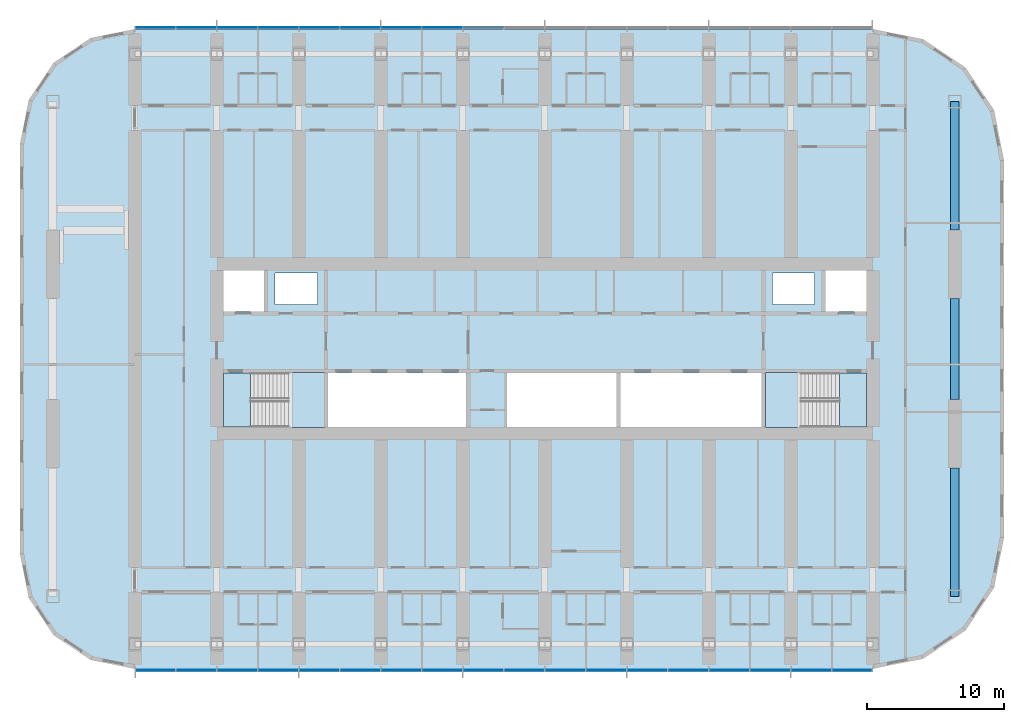
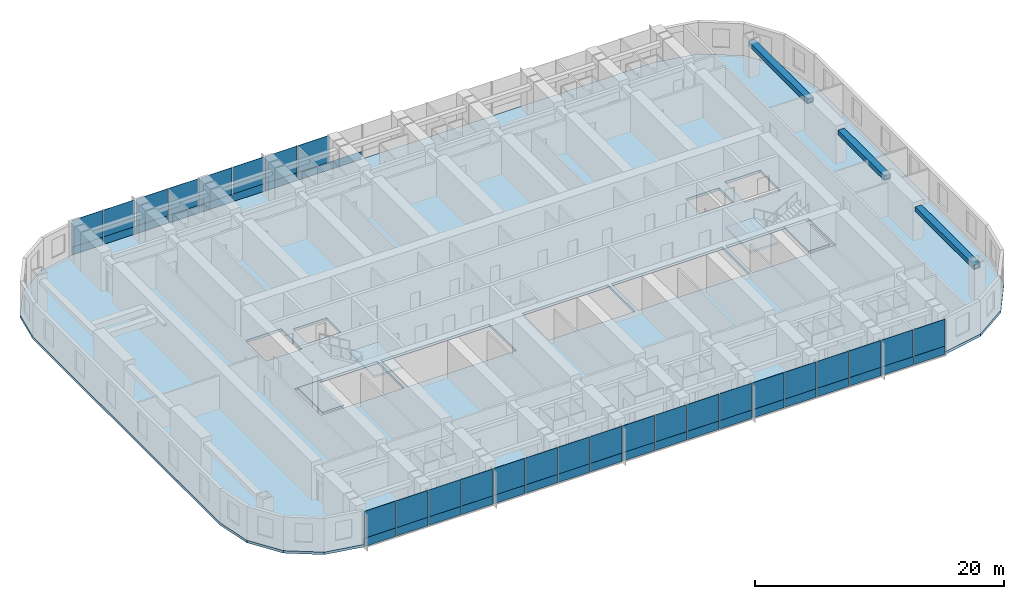
# One storey, part 6 of 21: 53 plates, 5 slabs, 3 beams, 4 elements without a shape of their own.
"""IFC4 building model written with IfcOpenShell, lengths in metres."""

from ifc_helpers import new_model, si_unit, direction, frame, origin, origin_2d, place, context, subcontext, project, spatial, polyline, rectangle, hollow_rectangle, outline, extrude, material, layer, layer_set, material_profile, profile_set, type_object, element, aggregate, save


model = new_model("IFC4")

# Units and contexts
model_context = context("Model", 3, precision=1e-05, world=origin(), true_north=direction((0.0, 1.0)))
body_context = subcontext(model_context, "Body", "Model", "MODEL_VIEW")
ifc_project = project(units=[si_unit("LENGTHUNIT", "METRE"), si_unit("AREAUNIT", "SQUARE_METRE"), si_unit("VOLUMEUNIT", "CUBIC_METRE"), si_unit("PLANEANGLEUNIT", "RADIAN"), si_unit("MASSUNIT", "GRAM", prefix="KILO")], contexts=[model_context])

# Site, building, storey
site_placement = place(None, origin())
site = spatial("IfcSite", under=ifc_project, at=site_placement, CompositionType="ELEMENT")
building_placement = place(site_placement, origin())
building = spatial("IfcBuilding", under=site, at=building_placement, Name="Orbita Commons", CompositionType="ELEMENT")
storey_placement = place(building_placement, frame((0.0, 0.0, 95.64990234375)))
storey = spatial("IfcBuildingStorey", under=building, at=storey_placement, Name="L23", CompositionType="ELEMENT", Elevation=95.64990234375)

# Beams
ifc_material_1 = material(Name="Steel ASTM A572 Gr 50 welded plate", Category="steel")
ifc_material_profile = material_profile(ifc_material_1, hollow_rectangle(XDim=0.60009765625, YDim=0.449951171875, WallThickness=0.06005859375, at=origin_2d()), Name="BOX 450x600x60")
ifc_profile_set = profile_set([ifc_material_profile], Name="Steel ASTM A572 Gr 50 welded plate")
beam_type = type_object("IfcBeamType", Name="Steel end frame link BOX 450x600x60", PredefinedType="BEAM", material=ifc_profile_set)
beam_1_placement = place(storey_placement, frame((72.0, 13.89990234375, 3.0751953125), z_axis=(0.0, 1.0, 0.0), x_axis=(-1.0, 0.0, 0.0)))
element("IfcBeam", 1, at=beam_1_placement, inside=storey, type_object=beam_type, Name="End frame beam 13 B-C L23", PredefinedType="BEAM", context=body_context, shape_type="SweptSolid", body=[
    extrude(hollow_rectangle(XDim=0.60009765625, YDim=0.449951171875, WallThickness=0.06005859375, at=origin_2d()), origin(), (0.0, 0.0, 1.0), 9.400146484375),
])
beam_2_placement = place(storey_placement, frame((72.0, 28.300048828125, 3.0751953125), z_axis=(0.0, 1.0, 0.0), x_axis=(-1.0, 0.0, 0.0)))
element("IfcBeam", 2, at=beam_2_placement, inside=storey, type_object=beam_type, Name="End frame beam 13 C-D L23", PredefinedType="BEAM", context=body_context, shape_type="SweptSolid", body=[
    extrude(hollow_rectangle(XDim=0.60009765625, YDim=0.449951171875, WallThickness=0.06005859375, at=origin_2d()), origin(), (0.0, 0.0, 1.0), 7.39990234375),
])
beam_3_placement = place(storey_placement, frame((72.0, 40.699951171875, 3.0751953125), z_axis=(0.0, 1.0, 0.0), x_axis=(-1.0, 0.0, 0.0)))
element("IfcBeam", 3, at=beam_3_placement, inside=storey, type_object=beam_type, Name="End frame beam 13 D-E L23", PredefinedType="BEAM", context=body_context, shape_type="SweptSolid", body=[
    extrude(hollow_rectangle(XDim=0.60009765625, YDim=0.449951171875, WallThickness=0.06005859375, at=origin_2d()), origin(), (0.0, 0.0, 1.0), 9.400146484375),
])

# Slab
ifc_material_2 = material(Name="Concrete C40/50", Category="concrete")
ifc_layer_1 = layer(ifc_material_2, 0.25)
ifc_layer_set_1 = layer_set([ifc_layer_1], Name="Concrete C40/50")
slab_type_1 = type_object("IfcSlabType", Name="Floor slab 250", PredefinedType="FLOOR", material=ifc_layer_set_1)
slab_1_placement = place(storey_placement, frame((0.0, 0.0, -0.25)))
element("IfcSlab", 4, at=slab_1_placement, inside=storey, type_object=slab_type_1, Name="Floor slab L23", PredefinedType="FLOOR", context=body_context, shape_type="SweptSolid", body=[
    extrude(outline(polyline([(66.0, 8.60009765625), (69.673828125, 9.330810546875), (72.788330078125, 11.411865234375), (74.869140625, 14.526123046875), (75.60009765625, 18.199951171875), (75.60009765625, 45.800048828125), (74.869140625, 49.473876953125), (72.788330078125, 52.588134765625), (69.673828125, 54.669189453125), (66.0, 55.39990234375), (12.0, 55.39990234375), (8.785400390625, 54.760498046875), (6.060302734375, 52.939697265625), (4.239501953125, 50.214599609375), (3.60009765625, 47.0), (3.60009765625, 17.0), (4.239501953125, 13.785400390625), (6.060302734375, 11.060302734375), (8.785400390625, 9.239501953125), (12.0, 8.60009765625), (66.0, 8.60009765625)]), holes=[polyline([(18.14990234375, 25.949951171875), (25.85009765625, 25.949951171875), (25.85009765625, 30.25), (18.14990234375, 30.25), (18.14990234375, 25.949951171875)]), polyline([(58.14990234375, 25.949951171875), (65.85009765625, 25.949951171875), (65.85009765625, 30.25), (58.14990234375, 30.25), (58.14990234375, 25.949951171875)]), polyline([(18.14990234375, 34.75), (21.449951171875, 34.75), (21.449951171875, 38.050048828125), (18.14990234375, 38.050048828125), (18.14990234375, 34.75)]), polyline([(62.550048828125, 34.75), (65.85009765625, 34.75), (65.85009765625, 38.050048828125), (62.550048828125, 38.050048828125), (62.550048828125, 34.75)]), polyline([(22.25, 35.25), (25.35009765625, 35.25), (25.35009765625, 37.550048828125), (22.25, 37.550048828125), (22.25, 35.25)]), polyline([(58.64990234375, 35.25), (61.75, 35.25), (61.75, 37.550048828125), (58.64990234375, 37.550048828125), (58.64990234375, 35.25)]), polyline([(26.14990234375, 25.949951171875), (36.25, 25.949951171875), (36.25, 30.25), (26.14990234375, 30.25), (26.14990234375, 25.949951171875)]), polyline([(39.25, 25.949951171875), (47.25, 25.949951171875), (47.25, 30.25), (39.25, 30.25), (39.25, 25.949951171875)]), polyline([(47.550048828125, 25.949951171875), (57.85009765625, 25.949951171875), (57.85009765625, 30.25), (47.550048828125, 30.25), (47.550048828125, 25.949951171875)])]), origin(), (0.0, 0.0, 1.0), 0.25),
])

# Curtain wall, plates
ifc_material_3 = material(Name="Anodised aluminium frame, pale silver", Category="aluminium")
curtain_wall_type = type_object("IfcCurtainWallType", Name="Unitised curtain wall CW-T, vision and spandrel", PredefinedType="NOTDEFINED", material=ifc_material_3)
curtain_wall_1_placement = place(storey_placement, origin())
curtain_wall_1 = element("IfcCurtainWall", 5, at=curtain_wall_1_placement, inside=storey, type_object=curtain_wall_type, Name="Curtain wall south L23", PredefinedType="NOTDEFINED")
ifc_material_4 = material(Name="Anodised aluminium sheet on mineral wool", Category="aluminium")
ifc_layer_2 = layer(ifc_material_4, 0.050048828125)
ifc_layer_set_2 = layer_set([ifc_layer_2], Name="Anodised aluminium sheet on mineral wool")
plate_type_1 = type_object("IfcPlateType", Name="Spandrel panel, pale aluminium over insulation 50", PredefinedType="CURTAIN_PANEL", material=ifc_layer_set_2)
plate_1_placement = place(storey_placement, frame((13.52001953125, 8.489990234375, -0.14990234375), z_axis=(0.0, 0.0, 1.0), x_axis=(1.0, 0.0, 0.0)))
plate_1 = element("IfcPlate", 6, at=plate_1_placement, type_object=plate_type_1, Name="Panel 1.1 CW-L23-S", PredefinedType="CURTAIN_PANEL", context=body_context, shape_type="SweptSolid", body=[
    extrude(rectangle(XDim=2.8798828125, YDim=0.050048828125, at=origin_2d()), origin(), (0.0, 0.0, 1.0), 0.822998046875),
])
plate_2_placement = place(storey_placement, frame((16.5, 8.489990234375, -0.14990234375), z_axis=(0.0, 0.0, 1.0), x_axis=(1.0, 0.0, 0.0)))
plate_2 = element("IfcPlate", 7, at=plate_2_placement, type_object=plate_type_1, Name="Panel 2.1 CW-L23-S", PredefinedType="CURTAIN_PANEL", context=body_context, shape_type="SweptSolid", body=[
    extrude(rectangle(XDim=2.919921875, YDim=0.050048828125, at=origin_2d()), origin(), (0.0, 0.0, 1.0), 0.822998046875),
])
plate_3_placement = place(storey_placement, frame((19.5, 8.489990234375, -0.14990234375), z_axis=(0.0, 0.0, 1.0), x_axis=(1.0, 0.0, 0.0)))
plate_3 = element("IfcPlate", 8, at=plate_3_placement, type_object=plate_type_1, Name="Panel 3.1 CW-L23-S", PredefinedType="CURTAIN_PANEL", context=body_context, shape_type="SweptSolid", body=[
    extrude(rectangle(XDim=2.919921875, YDim=0.050048828125, at=origin_2d()), origin(), (0.0, 0.0, 1.0), 0.822998046875),
])
plate_4_placement = place(storey_placement, frame((22.5, 8.489990234375, -0.14990234375), z_axis=(0.0, 0.0, 1.0), x_axis=(1.0, 0.0, 0.0)))
plate_4 = element("IfcPlate", 9, at=plate_4_placement, type_object=plate_type_1, Name="Panel 4.1 CW-L23-S", PredefinedType="CURTAIN_PANEL", context=body_context, shape_type="SweptSolid", body=[
    extrude(rectangle(XDim=2.919921875, YDim=0.050048828125, at=origin_2d()), origin(), (0.0, 0.0, 1.0), 0.822998046875),
])
plate_5_placement = place(storey_placement, frame((25.5, 8.489990234375, -0.14990234375), z_axis=(0.0, 0.0, 1.0), x_axis=(1.0, 0.0, 0.0)))
plate_5 = element("IfcPlate", 10, at=plate_5_placement, type_object=plate_type_1, Name="Panel 5.1 CW-L23-S", PredefinedType="CURTAIN_PANEL", context=body_context, shape_type="SweptSolid", body=[
    extrude(rectangle(XDim=2.919921875, YDim=0.050048828125, at=origin_2d()), origin(), (0.0, 0.0, 1.0), 0.822998046875),
])
plate_6_placement = place(storey_placement, frame((28.5, 8.489990234375, -0.14990234375), z_axis=(0.0, 0.0, 1.0), x_axis=(1.0, 0.0, 0.0)))
plate_6 = element("IfcPlate", 11, at=plate_6_placement, type_object=plate_type_1, Name="Panel 6.1 CW-L23-S", PredefinedType="CURTAIN_PANEL", context=body_context, shape_type="SweptSolid", body=[
    extrude(rectangle(XDim=2.919921875, YDim=0.050048828125, at=origin_2d()), origin(), (0.0, 0.0, 1.0), 0.822998046875),
])
plate_7_placement = place(storey_placement, frame((31.5, 8.489990234375, -0.14990234375), z_axis=(0.0, 0.0, 1.0), x_axis=(1.0, 0.0, 0.0)))
plate_7 = element("IfcPlate", 12, at=plate_7_placement, type_object=plate_type_1, Name="Panel 7.1 CW-L23-S", PredefinedType="CURTAIN_PANEL", context=body_context, shape_type="SweptSolid", body=[
    extrude(rectangle(XDim=2.919921875, YDim=0.050048828125, at=origin_2d()), origin(), (0.0, 0.0, 1.0), 0.822998046875),
])
plate_8_placement = place(storey_placement, frame((34.5, 8.489990234375, -0.14990234375), z_axis=(0.0, 0.0, 1.0), x_axis=(1.0, 0.0, 0.0)))
plate_8 = element("IfcPlate", 13, at=plate_8_placement, type_object=plate_type_1, Name="Panel 8.1 CW-L23-S", PredefinedType="CURTAIN_PANEL", context=body_context, shape_type="SweptSolid", body=[
    extrude(rectangle(XDim=2.919921875, YDim=0.050048828125, at=origin_2d()), origin(), (0.0, 0.0, 1.0), 0.822998046875),
])
plate_9_placement = place(storey_placement, frame((37.5, 8.489990234375, -0.14990234375), z_axis=(0.0, 0.0, 1.0), x_axis=(1.0, 0.0, 0.0)))
plate_9 = element("IfcPlate", 14, at=plate_9_placement, type_object=plate_type_1, Name="Panel 9.1 CW-L23-S", PredefinedType="CURTAIN_PANEL", context=body_context, shape_type="SweptSolid", body=[
    extrude(rectangle(XDim=2.919921875, YDim=0.050048828125, at=origin_2d()), origin(), (0.0, 0.0, 1.0), 0.822998046875),
])
plate_10_placement = place(storey_placement, frame((40.5, 8.489990234375, -0.14990234375), z_axis=(0.0, 0.0, 1.0), x_axis=(1.0, 0.0, 0.0)))
plate_10 = element("IfcPlate", 15, at=plate_10_placement, type_object=plate_type_1, Name="Panel 10.1 CW-L23-S", PredefinedType="CURTAIN_PANEL", context=body_context, shape_type="SweptSolid", body=[
    extrude(rectangle(XDim=2.919921875, YDim=0.050048828125, at=origin_2d()), origin(), (0.0, 0.0, 1.0), 0.822998046875),
])
plate_11_placement = place(storey_placement, frame((43.5, 8.489990234375, -0.14990234375), z_axis=(0.0, 0.0, 1.0), x_axis=(1.0, 0.0, 0.0)))
plate_11 = element("IfcPlate", 16, at=plate_11_placement, type_object=plate_type_1, Name="Panel 11.1 CW-L23-S", PredefinedType="CURTAIN_PANEL", context=body_context, shape_type="SweptSolid", body=[
    extrude(rectangle(XDim=2.919921875, YDim=0.050048828125, at=origin_2d()), origin(), (0.0, 0.0, 1.0), 0.822998046875),
])
plate_12_placement = place(storey_placement, frame((46.5, 8.489990234375, -0.14990234375), z_axis=(0.0, 0.0, 1.0), x_axis=(1.0, 0.0, 0.0)))
plate_12 = element("IfcPlate", 17, at=plate_12_placement, type_object=plate_type_1, Name="Panel 12.1 CW-L23-S", PredefinedType="CURTAIN_PANEL", context=body_context, shape_type="SweptSolid", body=[
    extrude(rectangle(XDim=2.919921875, YDim=0.050048828125, at=origin_2d()), origin(), (0.0, 0.0, 1.0), 0.822998046875),
])
plate_13_placement = place(storey_placement, frame((49.5, 8.489990234375, -0.14990234375), z_axis=(0.0, 0.0, 1.0), x_axis=(1.0, 0.0, 0.0)))
plate_13 = element("IfcPlate", 18, at=plate_13_placement, type_object=plate_type_1, Name="Panel 13.1 CW-L23-S", PredefinedType="CURTAIN_PANEL", context=body_context, shape_type="SweptSolid", body=[
    extrude(rectangle(XDim=2.919921875, YDim=0.050048828125, at=origin_2d()), origin(), (0.0, 0.0, 1.0), 0.822998046875),
])
plate_14_placement = place(storey_placement, frame((52.5, 8.489990234375, -0.14990234375), z_axis=(0.0, 0.0, 1.0), x_axis=(1.0, 0.0, 0.0)))
plate_14 = element("IfcPlate", 19, at=plate_14_placement, type_object=plate_type_1, Name="Panel 14.1 CW-L23-S", PredefinedType="CURTAIN_PANEL", context=body_context, shape_type="SweptSolid", body=[
    extrude(rectangle(XDim=2.919921875, YDim=0.050048828125, at=origin_2d()), origin(), (0.0, 0.0, 1.0), 0.822998046875),
])
plate_15_placement = place(storey_placement, frame((55.5, 8.489990234375, -0.14990234375), z_axis=(0.0, 0.0, 1.0), x_axis=(1.0, 0.0, 0.0)))
plate_15 = element("IfcPlate", 20, at=plate_15_placement, type_object=plate_type_1, Name="Panel 15.1 CW-L23-S", PredefinedType="CURTAIN_PANEL", context=body_context, shape_type="SweptSolid", body=[
    extrude(rectangle(XDim=2.919921875, YDim=0.050048828125, at=origin_2d()), origin(), (0.0, 0.0, 1.0), 0.822998046875),
])
plate_16_placement = place(storey_placement, frame((58.5, 8.489990234375, -0.14990234375), z_axis=(0.0, 0.0, 1.0), x_axis=(1.0, 0.0, 0.0)))
plate_16 = element("IfcPlate", 21, at=plate_16_placement, type_object=plate_type_1, Name="Panel 16.1 CW-L23-S", PredefinedType="CURTAIN_PANEL", context=body_context, shape_type="SweptSolid", body=[
    extrude(rectangle(XDim=2.919921875, YDim=0.050048828125, at=origin_2d()), origin(), (0.0, 0.0, 1.0), 0.822998046875),
])
plate_17_placement = place(storey_placement, frame((61.5, 8.489990234375, -0.14990234375), z_axis=(0.0, 0.0, 1.0), x_axis=(1.0, 0.0, 0.0)))
plate_17 = element("IfcPlate", 22, at=plate_17_placement, type_object=plate_type_1, Name="Panel 17.1 CW-L23-S", PredefinedType="CURTAIN_PANEL", context=body_context, shape_type="SweptSolid", body=[
    extrude(rectangle(XDim=2.919921875, YDim=0.050048828125, at=origin_2d()), origin(), (0.0, 0.0, 1.0), 0.822998046875),
])
plate_18_placement = place(storey_placement, frame((64.47998046875, 8.489990234375, -0.14990234375), z_axis=(0.0, 0.0, 1.0), x_axis=(1.0, 0.0, 0.0)))
plate_18 = element("IfcPlate", 23, at=plate_18_placement, type_object=plate_type_1, Name="Panel 18.1 CW-L23-S", PredefinedType="CURTAIN_PANEL", context=body_context, shape_type="SweptSolid", body=[
    extrude(rectangle(XDim=2.8798828125, YDim=0.050048828125, at=origin_2d()), origin(), (0.0, 0.0, 1.0), 0.822998046875),
])

curtain_wall_2_placement = place(storey_placement, origin())
curtain_wall_2 = element("IfcCurtainWall", 24, at=curtain_wall_2_placement, inside=storey, type_object=curtain_wall_type, Name="Curtain wall north L23", PredefinedType="NOTDEFINED")
plate_19_placement = place(storey_placement, frame((37.5, 55.510009765625, -0.14990234375), z_axis=(0.0, 0.0, 1.0), x_axis=(-1.0, 0.0, 0.0)))
plate_19 = element("IfcPlate", 25, at=plate_19_placement, type_object=plate_type_1, Name="Panel 10.1 CW-L23-N", PredefinedType="CURTAIN_PANEL", context=body_context, shape_type="SweptSolid", body=[
    extrude(rectangle(XDim=2.919921875, YDim=0.050048828125, at=origin_2d()), origin(), (0.0, 0.0, 1.0), 0.822998046875),
])
plate_20_placement = place(storey_placement, frame((34.5, 55.510009765625, -0.14990234375), z_axis=(0.0, 0.0, 1.0), x_axis=(-1.0, 0.0, 0.0)))
plate_20 = element("IfcPlate", 26, at=plate_20_placement, type_object=plate_type_1, Name="Panel 11.1 CW-L23-N", PredefinedType="CURTAIN_PANEL", context=body_context, shape_type="SweptSolid", body=[
    extrude(rectangle(XDim=2.919921875, YDim=0.050048828125, at=origin_2d()), origin(), (0.0, 0.0, 1.0), 0.822998046875),
])
plate_21_placement = place(storey_placement, frame((31.5, 55.510009765625, -0.14990234375), z_axis=(0.0, 0.0, 1.0), x_axis=(-1.0, 0.0, 0.0)))
plate_21 = element("IfcPlate", 27, at=plate_21_placement, type_object=plate_type_1, Name="Panel 12.1 CW-L23-N", PredefinedType="CURTAIN_PANEL", context=body_context, shape_type="SweptSolid", body=[
    extrude(rectangle(XDim=2.919921875, YDim=0.050048828125, at=origin_2d()), origin(), (0.0, 0.0, 1.0), 0.822998046875),
])
plate_22_placement = place(storey_placement, frame((28.5, 55.510009765625, -0.14990234375), z_axis=(0.0, 0.0, 1.0), x_axis=(-1.0, 0.0, 0.0)))
plate_22 = element("IfcPlate", 28, at=plate_22_placement, type_object=plate_type_1, Name="Panel 13.1 CW-L23-N", PredefinedType="CURTAIN_PANEL", context=body_context, shape_type="SweptSolid", body=[
    extrude(rectangle(XDim=2.919921875, YDim=0.050048828125, at=origin_2d()), origin(), (0.0, 0.0, 1.0), 0.822998046875),
])
plate_23_placement = place(storey_placement, frame((25.5, 55.510009765625, -0.14990234375), z_axis=(0.0, 0.0, 1.0), x_axis=(-1.0, 0.0, 0.0)))
plate_23 = element("IfcPlate", 29, at=plate_23_placement, type_object=plate_type_1, Name="Panel 14.1 CW-L23-N", PredefinedType="CURTAIN_PANEL", context=body_context, shape_type="SweptSolid", body=[
    extrude(rectangle(XDim=2.919921875, YDim=0.050048828125, at=origin_2d()), origin(), (0.0, 0.0, 1.0), 0.822998046875),
])
plate_24_placement = place(storey_placement, frame((22.5, 55.510009765625, -0.14990234375), z_axis=(0.0, 0.0, 1.0), x_axis=(-1.0, 0.0, 0.0)))
plate_24 = element("IfcPlate", 30, at=plate_24_placement, type_object=plate_type_1, Name="Panel 15.1 CW-L23-N", PredefinedType="CURTAIN_PANEL", context=body_context, shape_type="SweptSolid", body=[
    extrude(rectangle(XDim=2.919921875, YDim=0.050048828125, at=origin_2d()), origin(), (0.0, 0.0, 1.0), 0.822998046875),
])
plate_25_placement = place(storey_placement, frame((19.5, 55.510009765625, -0.14990234375), z_axis=(0.0, 0.0, 1.0), x_axis=(-1.0, 0.0, 0.0)))
plate_25 = element("IfcPlate", 31, at=plate_25_placement, type_object=plate_type_1, Name="Panel 16.1 CW-L23-N", PredefinedType="CURTAIN_PANEL", context=body_context, shape_type="SweptSolid", body=[
    extrude(rectangle(XDim=2.919921875, YDim=0.050048828125, at=origin_2d()), origin(), (0.0, 0.0, 1.0), 0.822998046875),
])
plate_26_placement = place(storey_placement, frame((16.5, 55.510009765625, -0.14990234375), z_axis=(0.0, 0.0, 1.0), x_axis=(-1.0, 0.0, 0.0)))
plate_26 = element("IfcPlate", 32, at=plate_26_placement, type_object=plate_type_1, Name="Panel 17.1 CW-L23-N", PredefinedType="CURTAIN_PANEL", context=body_context, shape_type="SweptSolid", body=[
    extrude(rectangle(XDim=2.919921875, YDim=0.050048828125, at=origin_2d()), origin(), (0.0, 0.0, 1.0), 0.822998046875),
])
plate_27_placement = place(storey_placement, frame((13.52001953125, 55.510009765625, -0.14990234375), z_axis=(0.0, 0.0, 1.0), x_axis=(-1.0, 0.0, 0.0)))
plate_27 = element("IfcPlate", 33, at=plate_27_placement, type_object=plate_type_1, Name="Panel 18.1 CW-L23-N", PredefinedType="CURTAIN_PANEL", context=body_context, shape_type="SweptSolid", body=[
    extrude(rectangle(XDim=2.8798828125, YDim=0.050048828125, at=origin_2d()), origin(), (0.0, 0.0, 1.0), 0.822998046875),
])

# Stair, slabs
ifc_material_5 = material(Name="Precast concrete C40/50", Category="concrete")
stair_type_1 = type_object("IfcStairType", Name="Exit stair S1 2 flights 11 risers 170", PredefinedType="HALF_TURN_STAIR", material=ifc_material_5)
stair_1_placement = place(storey_placement, origin())
stair_1 = element("IfcStair", 34, at=stair_1_placement, inside=storey, type_object=stair_type_1, Name="Exit stair S1 L23", PredefinedType="HALF_TURN_STAIR")
ifc_material_6 = material(Name="Concrete C40/50", Category="concrete")
ifc_layer_3 = layer(ifc_material_6, 0.199951171875)
ifc_layer_set_3 = layer_set([ifc_layer_3], Name="Concrete C40/50")
slab_type_2 = type_object("IfcSlabType", Name="Stair landing 200", PredefinedType="LANDING", material=ifc_layer_set_3)
slab_2_placement = place(storey_placement, frame((0.0, 0.0, -0.199951171875)))
slab_2 = element("IfcSlab", 35, at=slab_2_placement, type_object=slab_type_2, Name="S1 landing 1", PredefinedType="LANDING", context=body_context, shape_type="SweptSolid", body=[
    extrude(outline(polyline([(18.47509765625, 26.27490234375), (20.449951171875, 26.27490234375), (20.449951171875, 30.25), (18.47509765625, 30.25), (18.47509765625, 26.27490234375)])), origin(), (0.0, 0.0, 1.0), 0.199951171875),
])
slab_3_placement = place(storey_placement, frame((0.0, 0.0, 1.675048828125)))
slab_3 = element("IfcSlab", 36, at=slab_3_placement, type_object=slab_type_2, Name="S1 landing 2", PredefinedType="LANDING", context=body_context, shape_type="SweptSolid", body=[
    extrude(outline(polyline([(23.25, 26.260009765625), (25.864990234375, 26.260009765625), (25.864990234375, 30.264892578125), (23.25, 30.264892578125), (23.25, 26.260009765625)])), origin(), (0.0, 0.0, 1.0), 0.199951171875),
])
aggregate(stair_1, [slab_2, slab_3])

ifc_material_7 = material(Name="Precast concrete C40/50", Category="concrete")
stair_type_2 = type_object("IfcStairType", Name="Exit stair S2 2 flights 11 risers 170", PredefinedType="HALF_TURN_STAIR", material=ifc_material_7)
stair_2_placement = place(storey_placement, origin())
stair_2 = element("IfcStair", 37, at=stair_2_placement, inside=storey, type_object=stair_type_2, Name="Exit stair S2 L23", PredefinedType="HALF_TURN_STAIR")
slab_4_placement = place(storey_placement, frame((0.0, 0.0, -0.199951171875)))
slab_4 = element("IfcSlab", 38, at=slab_4_placement, type_object=slab_type_2, Name="S2 landing 1", PredefinedType="LANDING", context=body_context, shape_type="SweptSolid", body=[
    extrude(outline(polyline([(63.550048828125, 26.27490234375), (65.52490234375, 26.27490234375), (65.52490234375, 30.25), (63.550048828125, 30.25), (63.550048828125, 26.27490234375)])), origin(), (0.0, 0.0, 1.0), 0.199951171875),
])
slab_5_placement = place(storey_placement, frame((0.0, 0.0, 1.675048828125)))
slab_5 = element("IfcSlab", 39, at=slab_5_placement, type_object=slab_type_2, Name="S2 landing 2", PredefinedType="LANDING", context=body_context, shape_type="SweptSolid", body=[
    extrude(outline(polyline([(58.135009765625, 26.260009765625), (60.75, 26.260009765625), (60.75, 30.264892578125), (58.135009765625, 30.264892578125), (58.135009765625, 26.260009765625)])), origin(), (0.0, 0.0, 1.0), 0.199951171875),
])
aggregate(stair_2, [slab_4, slab_5])

# Plate
ifc_material_8 = material(Name="Clear double glazing", Category="glass")
ifc_layer_4 = layer(ifc_material_8, 0.031982421875)
ifc_layer_set_4 = layer_set([ifc_layer_4], Name="Clear double glazing")
plate_type_2 = type_object("IfcPlateType", Name="Vision panel, clear double glazing 32", PredefinedType="CURTAIN_PANEL", material=ifc_layer_set_4)
plate_28_placement = place(storey_placement, frame((13.52001953125, 8.489990234375, 0.673095703125), z_axis=(0.0, 0.0, 1.0), x_axis=(1.0, 0.0, 0.0)))
plate_28 = element("IfcPlate", 40, at=plate_28_placement, type_object=plate_type_2, Name="Panel 1.2 CW-L23-S", PredefinedType="CURTAIN_PANEL", context=body_context, shape_type="SweptSolid", body=[
    extrude(rectangle(XDim=2.8798828125, YDim=0.031982421875, at=origin_2d()), origin(), (0.0, 0.0, 1.0), 2.626953125),
])

plate_29_placement = place(storey_placement, frame((16.5, 8.489990234375, 0.673095703125), z_axis=(0.0, 0.0, 1.0), x_axis=(1.0, 0.0, 0.0)))
plate_29 = element("IfcPlate", 41, at=plate_29_placement, type_object=plate_type_2, Name="Panel 2.2 CW-L23-S", PredefinedType="CURTAIN_PANEL", context=body_context, shape_type="SweptSolid", body=[
    extrude(rectangle(XDim=2.919921875, YDim=0.031982421875, at=origin_2d()), origin(), (0.0, 0.0, 1.0), 2.626953125),
])

plate_30_placement = place(storey_placement, frame((19.5, 8.489990234375, 0.673095703125), z_axis=(0.0, 0.0, 1.0), x_axis=(1.0, 0.0, 0.0)))
plate_30 = element("IfcPlate", 42, at=plate_30_placement, type_object=plate_type_2, Name="Panel 3.2 CW-L23-S", PredefinedType="CURTAIN_PANEL", context=body_context, shape_type="SweptSolid", body=[
    extrude(rectangle(XDim=2.919921875, YDim=0.031982421875, at=origin_2d()), origin(), (0.0, 0.0, 1.0), 2.626953125),
])

plate_31_placement = place(storey_placement, frame((22.5, 8.489990234375, 0.673095703125), z_axis=(0.0, 0.0, 1.0), x_axis=(1.0, 0.0, 0.0)))
plate_31 = element("IfcPlate", 43, at=plate_31_placement, type_object=plate_type_2, Name="Panel 4.2 CW-L23-S", PredefinedType="CURTAIN_PANEL", context=body_context, shape_type="SweptSolid", body=[
    extrude(rectangle(XDim=2.919921875, YDim=0.031982421875, at=origin_2d()), origin(), (0.0, 0.0, 1.0), 2.626953125),
])

plate_32_placement = place(storey_placement, frame((25.5, 8.489990234375, 0.673095703125), z_axis=(0.0, 0.0, 1.0), x_axis=(1.0, 0.0, 0.0)))
plate_32 = element("IfcPlate", 44, at=plate_32_placement, type_object=plate_type_2, Name="Panel 5.2 CW-L23-S", PredefinedType="CURTAIN_PANEL", context=body_context, shape_type="SweptSolid", body=[
    extrude(rectangle(XDim=2.919921875, YDim=0.031982421875, at=origin_2d()), origin(), (0.0, 0.0, 1.0), 2.626953125),
])

plate_33_placement = place(storey_placement, frame((28.5, 8.489990234375, 0.673095703125), z_axis=(0.0, 0.0, 1.0), x_axis=(1.0, 0.0, 0.0)))
plate_33 = element("IfcPlate", 45, at=plate_33_placement, type_object=plate_type_2, Name="Panel 6.2 CW-L23-S", PredefinedType="CURTAIN_PANEL", context=body_context, shape_type="SweptSolid", body=[
    extrude(rectangle(XDim=2.919921875, YDim=0.031982421875, at=origin_2d()), origin(), (0.0, 0.0, 1.0), 2.626953125),
])

plate_34_placement = place(storey_placement, frame((31.5, 8.489990234375, 0.673095703125), z_axis=(0.0, 0.0, 1.0), x_axis=(1.0, 0.0, 0.0)))
plate_34 = element("IfcPlate", 46, at=plate_34_placement, type_object=plate_type_2, Name="Panel 7.2 CW-L23-S", PredefinedType="CURTAIN_PANEL", context=body_context, shape_type="SweptSolid", body=[
    extrude(rectangle(XDim=2.919921875, YDim=0.031982421875, at=origin_2d()), origin(), (0.0, 0.0, 1.0), 2.626953125),
])

plate_35_placement = place(storey_placement, frame((34.5, 8.489990234375, 0.673095703125), z_axis=(0.0, 0.0, 1.0), x_axis=(1.0, 0.0, 0.0)))
plate_35 = element("IfcPlate", 47, at=plate_35_placement, type_object=plate_type_2, Name="Panel 8.2 CW-L23-S", PredefinedType="CURTAIN_PANEL", context=body_context, shape_type="SweptSolid", body=[
    extrude(rectangle(XDim=2.919921875, YDim=0.031982421875, at=origin_2d()), origin(), (0.0, 0.0, 1.0), 2.626953125),
])

plate_36_placement = place(storey_placement, frame((37.5, 8.489990234375, 0.673095703125), z_axis=(0.0, 0.0, 1.0), x_axis=(1.0, 0.0, 0.0)))
plate_36 = element("IfcPlate", 48, at=plate_36_placement, type_object=plate_type_2, Name="Panel 9.2 CW-L23-S", PredefinedType="CURTAIN_PANEL", context=body_context, shape_type="SweptSolid", body=[
    extrude(rectangle(XDim=2.919921875, YDim=0.031982421875, at=origin_2d()), origin(), (0.0, 0.0, 1.0), 2.626953125),
])

plate_37_placement = place(storey_placement, frame((40.5, 8.489990234375, 0.673095703125), z_axis=(0.0, 0.0, 1.0), x_axis=(1.0, 0.0, 0.0)))
plate_37 = element("IfcPlate", 49, at=plate_37_placement, type_object=plate_type_2, Name="Panel 10.2 CW-L23-S", PredefinedType="CURTAIN_PANEL", context=body_context, shape_type="SweptSolid", body=[
    extrude(rectangle(XDim=2.919921875, YDim=0.031982421875, at=origin_2d()), origin(), (0.0, 0.0, 1.0), 2.626953125),
])

plate_38_placement = place(storey_placement, frame((43.5, 8.489990234375, 0.673095703125), z_axis=(0.0, 0.0, 1.0), x_axis=(1.0, 0.0, 0.0)))
plate_38 = element("IfcPlate", 50, at=plate_38_placement, type_object=plate_type_2, Name="Panel 11.2 CW-L23-S", PredefinedType="CURTAIN_PANEL", context=body_context, shape_type="SweptSolid", body=[
    extrude(rectangle(XDim=2.919921875, YDim=0.031982421875, at=origin_2d()), origin(), (0.0, 0.0, 1.0), 2.626953125),
])

plate_39_placement = place(storey_placement, frame((46.5, 8.489990234375, 0.673095703125), z_axis=(0.0, 0.0, 1.0), x_axis=(1.0, 0.0, 0.0)))
plate_39 = element("IfcPlate", 51, at=plate_39_placement, type_object=plate_type_2, Name="Panel 12.2 CW-L23-S", PredefinedType="CURTAIN_PANEL", context=body_context, shape_type="SweptSolid", body=[
    extrude(rectangle(XDim=2.919921875, YDim=0.031982421875, at=origin_2d()), origin(), (0.0, 0.0, 1.0), 2.626953125),
])

plate_40_placement = place(storey_placement, frame((49.5, 8.489990234375, 0.673095703125), z_axis=(0.0, 0.0, 1.0), x_axis=(1.0, 0.0, 0.0)))
plate_40 = element("IfcPlate", 52, at=plate_40_placement, type_object=plate_type_2, Name="Panel 13.2 CW-L23-S", PredefinedType="CURTAIN_PANEL", context=body_context, shape_type="SweptSolid", body=[
    extrude(rectangle(XDim=2.919921875, YDim=0.031982421875, at=origin_2d()), origin(), (0.0, 0.0, 1.0), 2.626953125),
])

plate_41_placement = place(storey_placement, frame((52.5, 8.489990234375, 0.673095703125), z_axis=(0.0, 0.0, 1.0), x_axis=(1.0, 0.0, 0.0)))
plate_41 = element("IfcPlate", 53, at=plate_41_placement, type_object=plate_type_2, Name="Panel 14.2 CW-L23-S", PredefinedType="CURTAIN_PANEL", context=body_context, shape_type="SweptSolid", body=[
    extrude(rectangle(XDim=2.919921875, YDim=0.031982421875, at=origin_2d()), origin(), (0.0, 0.0, 1.0), 2.626953125),
])

plate_42_placement = place(storey_placement, frame((55.5, 8.489990234375, 0.673095703125), z_axis=(0.0, 0.0, 1.0), x_axis=(1.0, 0.0, 0.0)))
plate_42 = element("IfcPlate", 54, at=plate_42_placement, type_object=plate_type_2, Name="Panel 15.2 CW-L23-S", PredefinedType="CURTAIN_PANEL", context=body_context, shape_type="SweptSolid", body=[
    extrude(rectangle(XDim=2.919921875, YDim=0.031982421875, at=origin_2d()), origin(), (0.0, 0.0, 1.0), 2.626953125),
])

plate_43_placement = place(storey_placement, frame((58.5, 8.489990234375, 0.673095703125), z_axis=(0.0, 0.0, 1.0), x_axis=(1.0, 0.0, 0.0)))
plate_43 = element("IfcPlate", 55, at=plate_43_placement, type_object=plate_type_2, Name="Panel 16.2 CW-L23-S", PredefinedType="CURTAIN_PANEL", context=body_context, shape_type="SweptSolid", body=[
    extrude(rectangle(XDim=2.919921875, YDim=0.031982421875, at=origin_2d()), origin(), (0.0, 0.0, 1.0), 2.626953125),
])

plate_44_placement = place(storey_placement, frame((61.5, 8.489990234375, 0.673095703125), z_axis=(0.0, 0.0, 1.0), x_axis=(1.0, 0.0, 0.0)))
plate_44 = element("IfcPlate", 56, at=plate_44_placement, type_object=plate_type_2, Name="Panel 17.2 CW-L23-S", PredefinedType="CURTAIN_PANEL", context=body_context, shape_type="SweptSolid", body=[
    extrude(rectangle(XDim=2.919921875, YDim=0.031982421875, at=origin_2d()), origin(), (0.0, 0.0, 1.0), 2.626953125),
])

plate_45_placement = place(storey_placement, frame((64.47998046875, 8.489990234375, 0.673095703125), z_axis=(0.0, 0.0, 1.0), x_axis=(1.0, 0.0, 0.0)))
plate_45 = element("IfcPlate", 57, at=plate_45_placement, type_object=plate_type_2, Name="Panel 18.2 CW-L23-S", PredefinedType="CURTAIN_PANEL", context=body_context, shape_type="SweptSolid", body=[
    extrude(rectangle(XDim=2.8798828125, YDim=0.031982421875, at=origin_2d()), origin(), (0.0, 0.0, 1.0), 2.626953125),
])

aggregate(curtain_wall_1, [plate_1, plate_28, plate_2, plate_29, plate_3, plate_30, plate_4, plate_31, plate_5, plate_32, plate_6, plate_33, plate_7, plate_34, plate_8, plate_35, plate_9, plate_36, plate_10, plate_37, plate_11, plate_38, plate_12, plate_39, plate_13, plate_40, plate_14, plate_41, plate_15, plate_42, plate_16, plate_43, plate_17, plate_44, plate_18, plate_45])

plate_46_placement = place(storey_placement, frame((34.5, 55.510009765625, 0.673095703125), z_axis=(0.0, 0.0, 1.0), x_axis=(-1.0, 0.0, 0.0)))
plate_46 = element("IfcPlate", 58, at=plate_46_placement, type_object=plate_type_2, Name="Panel 11.2 CW-L23-N", PredefinedType="CURTAIN_PANEL", context=body_context, shape_type="SweptSolid", body=[
    extrude(rectangle(XDim=2.919921875, YDim=0.031982421875, at=origin_2d()), origin(), (0.0, 0.0, 1.0), 2.626953125),
])

plate_47_placement = place(storey_placement, frame((31.5, 55.510009765625, 0.673095703125), z_axis=(0.0, 0.0, 1.0), x_axis=(-1.0, 0.0, 0.0)))
plate_47 = element("IfcPlate", 59, at=plate_47_placement, type_object=plate_type_2, Name="Panel 12.2 CW-L23-N", PredefinedType="CURTAIN_PANEL", context=body_context, shape_type="SweptSolid", body=[
    extrude(rectangle(XDim=2.919921875, YDim=0.031982421875, at=origin_2d()), origin(), (0.0, 0.0, 1.0), 2.626953125),
])

plate_48_placement = place(storey_placement, frame((28.5, 55.510009765625, 0.673095703125), z_axis=(0.0, 0.0, 1.0), x_axis=(-1.0, 0.0, 0.0)))
plate_48 = element("IfcPlate", 60, at=plate_48_placement, type_object=plate_type_2, Name="Panel 13.2 CW-L23-N", PredefinedType="CURTAIN_PANEL", context=body_context, shape_type="SweptSolid", body=[
    extrude(rectangle(XDim=2.919921875, YDim=0.031982421875, at=origin_2d()), origin(), (0.0, 0.0, 1.0), 2.626953125),
])

plate_49_placement = place(storey_placement, frame((25.5, 55.510009765625, 0.673095703125), z_axis=(0.0, 0.0, 1.0), x_axis=(-1.0, 0.0, 0.0)))
plate_49 = element("IfcPlate", 61, at=plate_49_placement, type_object=plate_type_2, Name="Panel 14.2 CW-L23-N", PredefinedType="CURTAIN_PANEL", context=body_context, shape_type="SweptSolid", body=[
    extrude(rectangle(XDim=2.919921875, YDim=0.031982421875, at=origin_2d()), origin(), (0.0, 0.0, 1.0), 2.626953125),
])

plate_50_placement = place(storey_placement, frame((22.5, 55.510009765625, 0.673095703125), z_axis=(0.0, 0.0, 1.0), x_axis=(-1.0, 0.0, 0.0)))
plate_50 = element("IfcPlate", 62, at=plate_50_placement, type_object=plate_type_2, Name="Panel 15.2 CW-L23-N", PredefinedType="CURTAIN_PANEL", context=body_context, shape_type="SweptSolid", body=[
    extrude(rectangle(XDim=2.919921875, YDim=0.031982421875, at=origin_2d()), origin(), (0.0, 0.0, 1.0), 2.626953125),
])

plate_51_placement = place(storey_placement, frame((19.5, 55.510009765625, 0.673095703125), z_axis=(0.0, 0.0, 1.0), x_axis=(-1.0, 0.0, 0.0)))
plate_51 = element("IfcPlate", 63, at=plate_51_placement, type_object=plate_type_2, Name="Panel 16.2 CW-L23-N", PredefinedType="CURTAIN_PANEL", context=body_context, shape_type="SweptSolid", body=[
    extrude(rectangle(XDim=2.919921875, YDim=0.031982421875, at=origin_2d()), origin(), (0.0, 0.0, 1.0), 2.626953125),
])

plate_52_placement = place(storey_placement, frame((16.5, 55.510009765625, 0.673095703125), z_axis=(0.0, 0.0, 1.0), x_axis=(-1.0, 0.0, 0.0)))
plate_52 = element("IfcPlate", 64, at=plate_52_placement, type_object=plate_type_2, Name="Panel 17.2 CW-L23-N", PredefinedType="CURTAIN_PANEL", context=body_context, shape_type="SweptSolid", body=[
    extrude(rectangle(XDim=2.919921875, YDim=0.031982421875, at=origin_2d()), origin(), (0.0, 0.0, 1.0), 2.626953125),
])

plate_53_placement = place(storey_placement, frame((13.52001953125, 55.510009765625, 0.673095703125), z_axis=(0.0, 0.0, 1.0), x_axis=(-1.0, 0.0, 0.0)))
plate_53 = element("IfcPlate", 65, at=plate_53_placement, type_object=plate_type_2, Name="Panel 18.2 CW-L23-N", PredefinedType="CURTAIN_PANEL", context=body_context, shape_type="SweptSolid", body=[
    extrude(rectangle(XDim=2.8798828125, YDim=0.031982421875, at=origin_2d()), origin(), (0.0, 0.0, 1.0), 2.626953125),
])

aggregate(curtain_wall_2, [plate_19, plate_20, plate_46, plate_21, plate_47, plate_22, plate_48, plate_23, plate_49, plate_24, plate_50, plate_25, plate_51, plate_26, plate_52, plate_27, plate_53])

save(model, "model.ifc")
